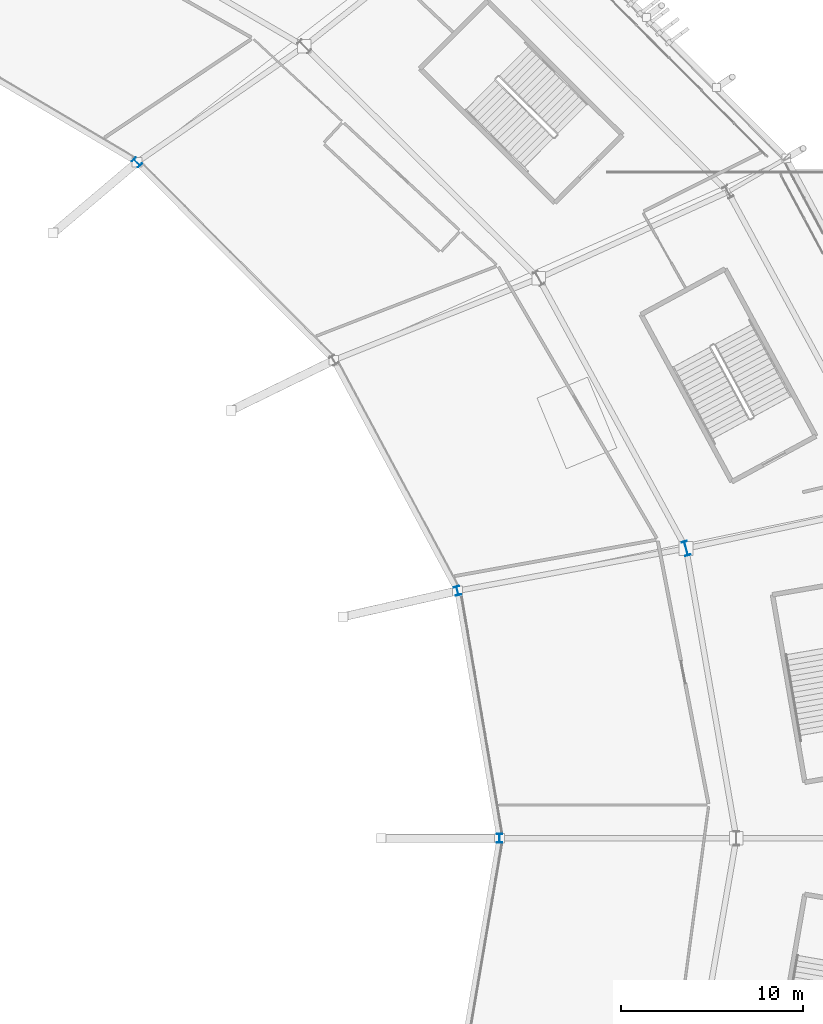
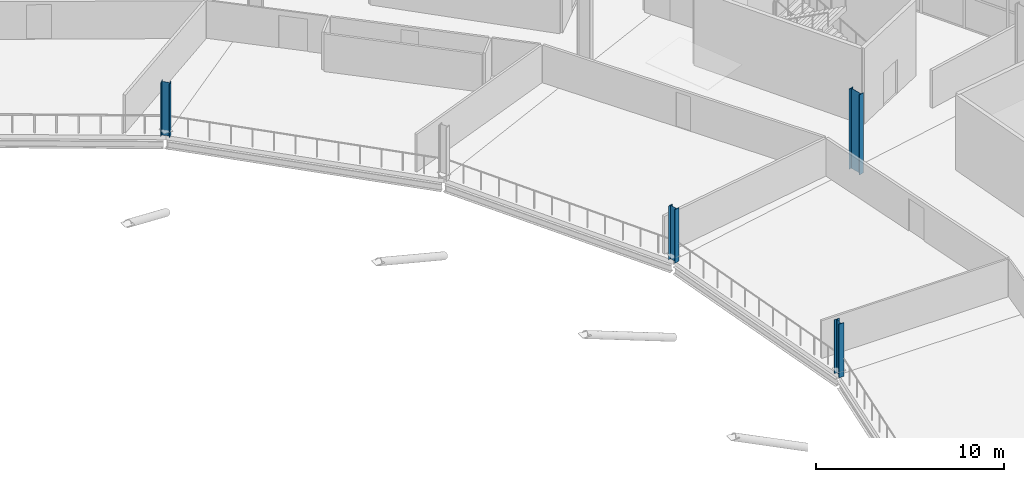
# One storey, part 12 of 168: 4 columns.
"""IFC4 building model written with IfcOpenShell, lengths in metres."""

from ifc_helpers import new_model, si_unit, direction, frame, origin, origin_2d, place, context, subcontext, project, spatial, i_section, extrude, material, material_profile, profile_set, type_object, element, save


model = new_model("IFC4")

# Units and contexts
model_context = context("Model", 3, precision=1e-05, world=origin(), true_north=direction((0.0, 1.0)))
body_context = subcontext(model_context, "Body", "Model", "MODEL_VIEW")
ifc_project = project(units=[si_unit("LENGTHUNIT", "METRE"), si_unit("AREAUNIT", "SQUARE_METRE"), si_unit("VOLUMEUNIT", "CUBIC_METRE"), si_unit("PLANEANGLEUNIT", "RADIAN"), si_unit("MASSUNIT", "GRAM", prefix="KILO")], contexts=[model_context])

# Site, building, storey
site_placement = place(None, origin())
site = spatial("IfcSite", under=ifc_project, at=site_placement, CompositionType="ELEMENT")
building_placement = place(site_placement, origin())
building = spatial("IfcBuilding", under=site, at=building_placement, Name="Zlatoyarsky Gate Stadium", CompositionType="ELEMENT")
storey_placement = place(building_placement, frame((0.0, 0.0, 15.60009765625)))
storey = spatial("IfcBuildingStorey", under=building, at=storey_placement, Name="L03", CompositionType="ELEMENT", Elevation=15.60009765625)

# Columns
ifc_material = material(Name="Steel S355", Category="steel")
ifc_material_profile_1 = material_profile(ifc_material, i_section(OverallWidth=0.300048828125, OverallDepth=0.5, WebThickness=0.014404296875, FlangeThickness=0.028076171875, FilletRadius=0.027099609375, at=origin_2d()), Name="HEB 500")
ifc_profile_set_1 = profile_set([ifc_material_profile_1], Name="Steel S355")
column_type_1 = type_object("IfcColumnType", Name="STEEL COLUMN HEB 500", PredefinedType="COLUMN", material=ifc_profile_set_1)
for number, where, z_axis, x_axis, name in (
    (1, (179.0, 80.0, 0.0), (0.0, 0.0, 1.0), (1.0, 0.0, 0.0), "Column ST-C500 RA-00 on L03"),
    (2, (176.68310546875, 93.587890625, 0.0), (0.0, 0.0, 1.0), (0.965925826289, 0.258819045103, 0.0), "Column ST-C500 RA-01 on L03"),
    (3, (159.083251953125, 117.123046875, 0.0), (0.0, 0.0, 1.0), (0.707106781187, 0.707106781187, 0.0), "Column ST-C500 RA-03 on L03"),
):
    element("IfcColumn", number, at=place(storey_placement, frame(where, z_axis=z_axis, x_axis=x_axis)), inside=storey, type_object=column_type_1, Name=name, PredefinedType="COLUMN", context=body_context, shape_type="SweptSolid", body=[
        extrude(i_section(OverallWidth=0.300048828125, OverallDepth=0.5, WebThickness=0.014404296875, FlangeThickness=0.028076171875, FilletRadius=0.027099609375, at=origin_2d()), origin(), (0.0, 0.0, 1.0), 3.47998046875),
    ])
ifc_material_profile_2 = material_profile(ifc_material, i_section(OverallWidth=0.300048828125, OverallDepth=0.800048828125, WebThickness=0.017578125, FlangeThickness=0.032958984375, FilletRadius=0.030029296875, at=origin_2d()), Name="HEB 800")
ifc_profile_set_2 = profile_set([ifc_material_profile_2], Name="Steel S355")
column_type_2 = type_object("IfcColumnType", Name="STEEL COLUMN HEB 800", PredefinedType="COLUMN", material=ifc_profile_set_2)
column_placement = place(storey_placement, frame((189.239990234375, 95.91748046875, 0.0), z_axis=(0.0, 0.0, 1.0), x_axis=(0.965925826289, 0.258819045103, 0.0)))
element("IfcColumn", 4, at=column_placement, inside=storey, type_object=column_type_2, Name="Column ST-C800 RB-01 on L03", PredefinedType="COLUMN", context=body_context, shape_type="SweptSolid", body=[
    extrude(i_section(OverallWidth=0.300048828125, OverallDepth=0.800048828125, WebThickness=0.017578125, FlangeThickness=0.032958984375, FilletRadius=0.030029296875, at=origin_2d()), origin(), (0.0, 0.0, 1.0), 5.199951171875),
])

save(model, "model.ifc")
